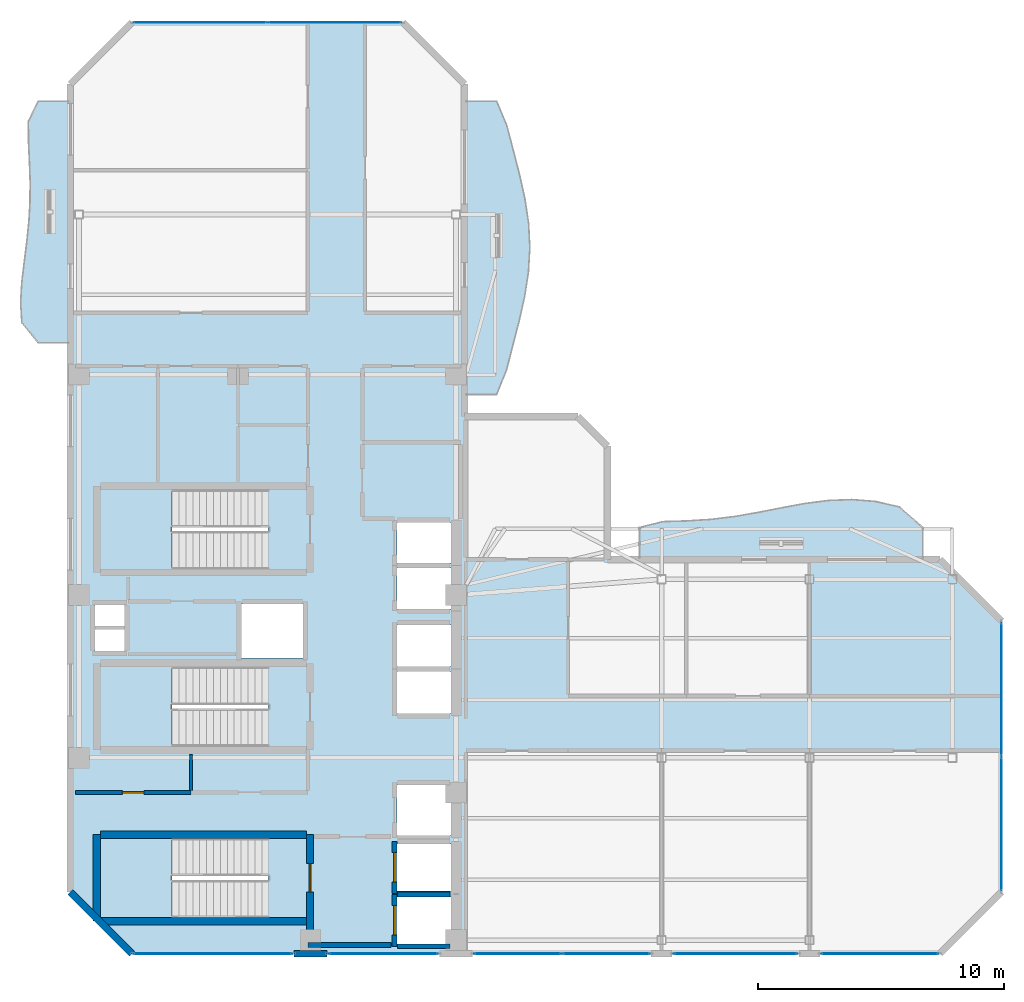
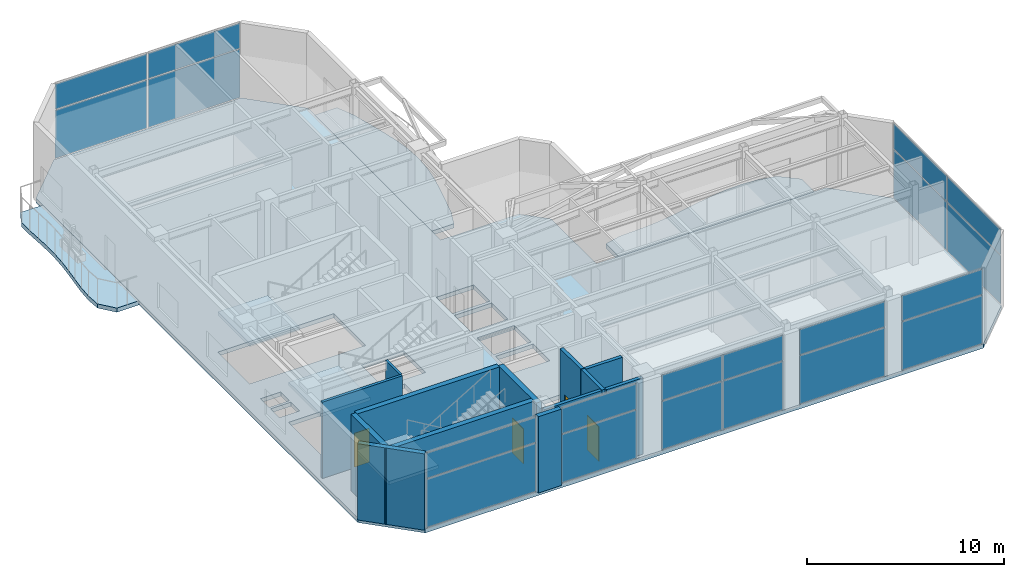
# One storey, part 10 of 15: 20 plates, 13 walls, 7 slabs, 4 doors, 4 openings, 10 elements without a shape of their own.
"""IFC4 building model written with IfcOpenShell, lengths in metres."""

from ifc_helpers import new_model, si_unit, direction, frame, frame_2d, origin, origin_2d, place, context, subcontext, project, spatial, polyline, rectangle, outline, extrude, material, layer, layer_set, type_object, element, fill, aggregate, save


model = new_model("IFC4")

# Units and contexts
model_context = context("Model", 3, precision=1e-05, world=origin(), true_north=direction((0.0, 1.0)))
body_context = subcontext(model_context, "Body", "Model", "MODEL_VIEW")
ifc_project = project(units=[si_unit("LENGTHUNIT", "METRE"), si_unit("AREAUNIT", "SQUARE_METRE"), si_unit("VOLUMEUNIT", "CUBIC_METRE"), si_unit("PLANEANGLEUNIT", "RADIAN"), si_unit("MASSUNIT", "GRAM", prefix="KILO")], contexts=[model_context])

# Site, building, storey
site_placement = place(None, origin())
site = spatial("IfcSite", under=ifc_project, at=site_placement, CompositionType="ELEMENT")
building_placement = place(site_placement, origin())
building = spatial("IfcBuilding", under=site, at=building_placement, Name="Mawjaban Terraces University", CompositionType="ELEMENT")
storey_placement = place(building_placement, frame((0.0, 0.0, 306.699951171875)))
storey = spatial("IfcBuildingStorey", under=building, at=storey_placement, Name="L75", CompositionType="ELEMENT", Elevation=306.699951171875)

# Slabs
ifc_material_1 = material(Name="Concrete C40/50", Category="concrete")
ifc_layer_1 = layer(ifc_material_1, 0.260009765625)
ifc_layer_set_1 = layer_set([ifc_layer_1], Name="Concrete C40/50")
slab_type_1 = type_object("IfcSlabType", Name="BalconySlab_260_Ext", PredefinedType="FLOOR", material=ifc_layer_set_1)
slab_1_placement = place(storey_placement, frame((0.0, 0.0, -0.260009765625)))
element("IfcSlab", 1, at=slab_1_placement, inside=storey, type_object=slab_type_1, Name="L75 Planted Balcony Slab west", PredefinedType="FLOOR", context=body_context, shape_type="SweptSolid", body=[
    extrude(outline(polyline([(22.010009765625, 24.800048828125), (22.010009765625, 34.60009765625), (20.699951171875, 34.60009765625), (20.297119140625, 33.782958984375), (20.300048828125, 32.967041015625), (20.340087890625, 32.14990234375), (20.368896484375, 31.3330078125), (20.363037109375, 30.51708984375), (20.31591796875, 29.699951171875), (20.23095703125, 28.883056640625), (20.126953125, 28.06689453125), (20.031005859375, 27.25), (19.98095703125, 26.43310546875), (20.032958984375, 25.616943359375), (20.699951171875, 24.800048828125), (22.010009765625, 24.800048828125)])), origin(), (0.0, 0.0, 1.0), 0.260009765625),
])
slab_2_placement = place(storey_placement, frame((0.0, 0.0, -0.260009765625)))
element("IfcSlab", 2, at=slab_2_placement, inside=storey, type_object=slab_type_1, Name="L75 Planted Balcony Slab inner_north", PredefinedType="FLOOR", context=body_context, shape_type="SweptSolid", body=[
    extrude(outline(polyline([(45.10009765625, 15.989990234375), (56.60009765625, 15.989990234375), (56.60009765625, 17.300048828125), (55.64208984375, 18.134033203125), (54.68310546875, 18.35400390625), (53.72509765625, 18.431884765625), (52.76708984375, 18.39501953125), (51.80810546875, 18.27099609375), (50.85009765625, 18.093994140625), (49.89208984375, 17.905029296875), (48.93310546875, 17.739990234375), (47.97509765625, 17.625), (47.01708984375, 17.56494140625), (46.05810546875, 17.535888671875), (45.10009765625, 17.300048828125), (45.10009765625, 15.989990234375)])), origin(), (0.0, 0.0, 1.0), 0.260009765625),
])
slab_3_placement = place(storey_placement, frame((0.0, 0.0, -0.260009765625)))
element("IfcSlab", 3, at=slab_3_placement, inside=storey, type_object=slab_type_1, Name="L75 Planted Balcony Slab inner_east", PredefinedType="FLOOR", context=body_context, shape_type="SweptSolid", body=[
    extrude(outline(polyline([(39.300048828125, 22.699951171875), (39.7041015625, 23.69189453125), (39.958984375, 24.68310546875), (40.215087890625, 25.675048828125), (40.43798828125, 26.6669921875), (40.592041015625, 27.657958984375), (40.64990234375, 28.64990234375), (40.60009765625, 29.64208984375), (40.451904296875, 30.633056640625), (40.23095703125, 31.625), (39.97509765625, 32.616943359375), (39.716064453125, 33.60791015625), (39.300048828125, 34.60009765625), (37.989990234375, 34.60009765625), (37.989990234375, 22.699951171875), (39.300048828125, 22.699951171875)])), origin(), (0.0, 0.0, 1.0), 0.260009765625),
])
ifc_layer_2 = layer(ifc_material_1, 0.260009765625)
ifc_layer_set_2 = layer_set([ifc_layer_2], Name="Concrete C40/50")
slab_type_2 = type_object("IfcSlabType", Name="DiaphragmSlab_260", PredefinedType="FLOOR", material=ifc_layer_set_2)
slab_4_placement = place(storey_placement, frame((0.0, 0.0, -0.260009765625)))
element("IfcSlab", 4, at=slab_4_placement, inside=storey, type_object=slab_type_2, Name="L75 Primary Structural Slab", PredefinedType="FLOOR", context=body_context, shape_type="SweptSolid", body=[
    extrude(outline(polyline([(24.5, 0.0), (57.300048828125, 0.0), (59.800048828125, 2.5), (59.800048828125, 13.5), (57.300048828125, 16.0), (43.800048828125, 16.0), (43.800048828125, 20.60009765625), (42.60009765625, 21.800048828125), (38.0, 21.800048828125), (38.0, 35.300048828125), (35.5, 37.800048828125), (24.5, 37.800048828125), (22.0, 35.300048828125), (22.0, 2.5), (24.5, 0.0)]), holes=[polyline([(30.014892578125, 4.699951171875), (23.199951171875, 4.699951171875), (23.199951171875, 1.449951171875), (30.014892578125, 1.449951171875), (30.014892578125, 4.699951171875)]), polyline([(30.014892578125, 18.85009765625), (23.199951171875, 18.85009765625), (23.199951171875, 15.60009765625), (30.014892578125, 15.60009765625), (30.014892578125, 18.85009765625)]), polyline([(30.014892578125, 11.64990234375), (23.199951171875, 11.64990234375), (23.199951171875, 8.39990234375), (30.014892578125, 8.39990234375), (30.014892578125, 11.64990234375)]), polyline([(35.25, 0.39990234375), (37.449951171875, 0.39990234375), (37.449951171875, 2.300048828125), (35.25, 2.300048828125), (35.25, 0.39990234375)]), polyline([(35.25, 2.550048828125), (37.449951171875, 2.550048828125), (37.449951171875, 4.449951171875), (35.25, 4.449951171875), (35.25, 2.550048828125)]), polyline([(35.25, 4.800048828125), (37.449951171875, 4.800048828125), (37.449951171875, 6.85009765625), (35.25, 6.85009765625), (35.25, 4.800048828125)]), polyline([(35.25, 9.75), (37.449951171875, 9.75), (37.449951171875, 11.449951171875), (35.25, 11.449951171875), (35.25, 9.75)]), polyline([(35.25, 11.64990234375), (37.449951171875, 11.64990234375), (37.449951171875, 13.35009765625), (35.25, 13.35009765625), (35.25, 11.64990234375)]), polyline([(28.949951171875, 12.0), (31.449951171875, 12.0), (31.449951171875, 14.199951171875), (28.949951171875, 14.199951171875), (28.949951171875, 12.0)]), polyline([(35.25, 14.0), (37.449951171875, 14.0), (37.449951171875, 15.64990234375), (35.25, 15.64990234375), (35.25, 14.0)]), polyline([(35.25, 15.85009765625), (37.449951171875, 15.85009765625), (37.449951171875, 17.5), (35.25, 17.5), (35.25, 15.85009765625)]), polyline([(23.0, 12.25), (24.199951171875, 12.25), (24.199951171875, 13.14990234375), (23.0, 13.14990234375), (23.0, 12.25)]), polyline([(23.0, 13.300048828125), (24.199951171875, 13.300048828125), (24.199951171875, 14.179931640625), (23.0, 14.179931640625), (23.0, 13.300048828125)])]), origin(), (0.0, 0.0, 1.0), 0.260009765625),
])

# Stair, slab
stair_type = type_object("IfcStairType", Name="Stair_Core1550_H50", PredefinedType="HALF_TURN_STAIR", material=ifc_material_1)
stair_1_placement = place(storey_placement, origin())
stair_1 = element("IfcStair", 5, at=stair_1_placement, inside=storey, type_object=stair_type, Name="L75 Core Exit Stair 1", PredefinedType="HALF_TURN_STAIR")
ifc_layer_3 = layer(ifc_material_1, 0.199951171875)
ifc_layer_set_3 = layer_set([ifc_layer_3], Name="Concrete C40/50")
slab_type_3 = type_object("IfcSlabType", Name="StairLandingSlab_200", PredefinedType="LANDING", material=ifc_layer_set_3)
slab_5_placement = place(storey_placement, frame((0.0, 0.0, 2.300048828125)))
slab_5 = element("IfcSlab", 6, at=slab_5_placement, type_object=slab_type_3, Name="ST-1 landing 1", PredefinedType="LANDING", context=body_context, shape_type="SweptSolid", body=[
    extrude(outline(polyline([(26.1298828125, 4.699951171875), (23.199951171875, 4.699951171875), (23.199951171875, 1.449951171875), (26.1298828125, 1.449951171875), (26.1298828125, 4.699951171875)])), origin(), (0.0, 0.0, 1.0), 0.199951171875),
])
aggregate(stair_1, [slab_5])

stair_2_placement = place(storey_placement, origin())
stair_2 = element("IfcStair", 7, at=stair_2_placement, inside=storey, type_object=stair_type, Name="L75 Core Exit Stair 2", PredefinedType="HALF_TURN_STAIR")
slab_6_placement = place(storey_placement, frame((0.0, 0.0, 2.300048828125)))
slab_6 = element("IfcSlab", 8, at=slab_6_placement, type_object=slab_type_3, Name="ST-2 landing 1", PredefinedType="LANDING", context=body_context, shape_type="SweptSolid", body=[
    extrude(outline(polyline([(26.1298828125, 18.85009765625), (23.199951171875, 18.85009765625), (23.199951171875, 15.60009765625), (26.1298828125, 15.60009765625), (26.1298828125, 18.85009765625)])), origin(), (0.0, 0.0, 1.0), 0.199951171875),
])
aggregate(stair_2, [slab_6])

stair_3_placement = place(storey_placement, origin())
stair_3 = element("IfcStair", 9, at=stair_3_placement, inside=storey, type_object=stair_type, Name="L75 Core Exit Stair 3", PredefinedType="HALF_TURN_STAIR")
slab_7_placement = place(storey_placement, frame((0.0, 0.0, 2.300048828125)))
slab_7 = element("IfcSlab", 10, at=slab_7_placement, type_object=slab_type_3, Name="ST-3 landing 1", PredefinedType="LANDING", context=body_context, shape_type="SweptSolid", body=[
    extrude(outline(polyline([(26.1298828125, 11.64990234375), (23.199951171875, 11.64990234375), (23.199951171875, 8.39990234375), (26.1298828125, 8.39990234375), (26.1298828125, 11.64990234375)])), origin(), (0.0, 0.0, 1.0), 0.199951171875),
])
aggregate(stair_3, [slab_7])

# Curtain wall, plates
ifc_material_2 = material(Name="Anodised aluminium 6063-T6 and solar-control low-E glass", Category="aluminium")
ifc_layer_4 = layer(ifc_material_2, 0.199951171875)
ifc_layer_set_4 = layer_set([ifc_layer_4], Name="Anodised aluminium 6063-T6 and solar-control low-E glass")
curtain_wall_type = type_object("IfcCurtainWallType", Name="CWSystem_06_ObservationCrown", PredefinedType="NOTDEFINED", material=ifc_layer_set_4)
curtain_wall_1_placement = place(storey_placement, origin())
curtain_wall_1 = element("IfcCurtainWall", 11, at=curtain_wall_1_placement, inside=storey, type_object=curtain_wall_type, Name="L75 Curtain Wall CW-06 Run 1.1", PredefinedType="NOTDEFINED")
ifc_material_3 = material(Name="Low-E solar-control double glazing", Category="glass")
ifc_layer_5 = layer(ifc_material_3, 0.035888671875)
ifc_layer_set_5 = layer_set([ifc_layer_5], Name="Low-E solar-control double glazing")
plate_type = type_object("IfcPlateType", Name="VisionPanel_CW-06", PredefinedType="CURTAIN_PANEL", material=ifc_layer_set_5)
plate_1_placement = place(storey_placement, frame((27.78759765625, 0.0, 0.06005859375), z_axis=(0.0, 0.0, 1.0), x_axis=(1.0, 0.0, 0.0)))
plate_1 = element("IfcPlate", 12, at=plate_1_placement, type_object=plate_type, Name="CW-06 panel 1.1", PredefinedType="CURTAIN_PANEL", context=body_context, shape_type="SweptSolid", body=[
    extrude(rectangle(XDim=6.445068359375, YDim=0.028076171875, at=origin_2d()), origin(), (0.0, 0.0, 1.0), 2.990966796875),
])
plate_2_placement = place(storey_placement, frame((27.78759765625, 0.0, 3.11083984375), z_axis=(0.0, 0.0, 1.0), x_axis=(1.0, 0.0, 0.0)))
plate_2 = element("IfcPlate", 13, at=plate_2_placement, type_object=plate_type, Name="CW-06 panel 1.2", PredefinedType="CURTAIN_PANEL", context=body_context, shape_type="SweptSolid", body=[
    extrude(rectangle(XDim=6.445068359375, YDim=0.028076171875, at=origin_2d()), origin(), (0.0, 0.0, 1.0), 1.569091796875),
])
aggregate(curtain_wall_1, [plate_1, plate_2])

curtain_wall_2_placement = place(storey_placement, origin())
curtain_wall_2 = element("IfcCurtainWall", 14, at=curtain_wall_2_placement, inside=storey, type_object=curtain_wall_type, Name="L75 Curtain Wall CW-06 Run 1.2", PredefinedType="NOTDEFINED")
plate_3_placement = place(storey_placement, frame((34.699951171875, 0.0, 0.06005859375), z_axis=(0.0, 0.0, 1.0), x_axis=(1.0, 0.0, 0.0)))
plate_3 = element("IfcPlate", 15, at=plate_3_placement, type_object=plate_type, Name="CW-06 panel 1.1", PredefinedType="CURTAIN_PANEL", context=body_context, shape_type="SweptSolid", body=[
    extrude(rectangle(XDim=4.419921875, YDim=0.028076171875, at=origin_2d()), origin(), (0.0, 0.0, 1.0), 2.990966796875),
])
plate_4_placement = place(storey_placement, frame((34.699951171875, 0.0, 3.11083984375), z_axis=(0.0, 0.0, 1.0), x_axis=(1.0, 0.0, 0.0)))
plate_4 = element("IfcPlate", 16, at=plate_4_placement, type_object=plate_type, Name="CW-06 panel 1.2", PredefinedType="CURTAIN_PANEL", context=body_context, shape_type="SweptSolid", body=[
    extrude(rectangle(XDim=4.419921875, YDim=0.028076171875, at=origin_2d()), origin(), (0.0, 0.0, 1.0), 1.569091796875),
])
aggregate(curtain_wall_2, [plate_3, plate_4])

curtain_wall_3_placement = place(storey_placement, origin())
curtain_wall_3 = element("IfcCurtainWall", 17, at=curtain_wall_3_placement, inside=storey, type_object=curtain_wall_type, Name="L75 Curtain Wall CW-06 Run 1.3", PredefinedType="NOTDEFINED")
plate_5_placement = place(storey_placement, frame((40.15380859375, 0.0, 0.06005859375), z_axis=(0.0, 0.0, 1.0), x_axis=(1.0, 0.0, 0.0)))
plate_5 = element("IfcPlate", 18, at=plate_5_placement, type_object=plate_type, Name="CW-06 panel 1.1", PredefinedType="CURTAIN_PANEL", context=body_context, shape_type="SweptSolid", body=[
    extrude(rectangle(XDim=3.527587890625, YDim=0.028076171875, at=origin_2d()), origin(), (0.0, 0.0, 1.0), 2.990966796875),
])
plate_6_placement = place(storey_placement, frame((40.15380859375, 0.0, 3.11083984375), z_axis=(0.0, 0.0, 1.0), x_axis=(1.0, 0.0, 0.0)))
plate_6 = element("IfcPlate", 19, at=plate_6_placement, type_object=plate_type, Name="CW-06 panel 1.2", PredefinedType="CURTAIN_PANEL", context=body_context, shape_type="SweptSolid", body=[
    extrude(rectangle(XDim=3.527587890625, YDim=0.028076171875, at=origin_2d()), origin(), (0.0, 0.0, 1.0), 1.569091796875),
])
plate_7_placement = place(storey_placement, frame((43.746337890625, 0.0, 0.06005859375), z_axis=(0.0, 0.0, 1.0), x_axis=(1.0, 0.0, 0.0)))
plate_7 = element("IfcPlate", 20, at=plate_7_placement, type_object=plate_type, Name="CW-06 panel 2.1", PredefinedType="CURTAIN_PANEL", context=body_context, shape_type="SweptSolid", body=[
    extrude(rectangle(XDim=3.527587890625, YDim=0.028076171875, at=origin_2d()), origin(), (0.0, 0.0, 1.0), 2.990966796875),
])
plate_8_placement = place(storey_placement, frame((43.746337890625, 0.0, 3.11083984375), z_axis=(0.0, 0.0, 1.0), x_axis=(1.0, 0.0, 0.0)))
plate_8 = element("IfcPlate", 21, at=plate_8_placement, type_object=plate_type, Name="CW-06 panel 2.2", PredefinedType="CURTAIN_PANEL", context=body_context, shape_type="SweptSolid", body=[
    extrude(rectangle(XDim=3.527587890625, YDim=0.028076171875, at=origin_2d()), origin(), (0.0, 0.0, 1.0), 1.569091796875),
])
aggregate(curtain_wall_3, [plate_5, plate_6, plate_7, plate_8])

curtain_wall_4_placement = place(storey_placement, origin())
curtain_wall_4 = element("IfcCurtainWall", 22, at=curtain_wall_4_placement, inside=storey, type_object=curtain_wall_type, Name="L75 Curtain Wall CW-06 Run 1.4", PredefinedType="NOTDEFINED")
plate_9_placement = place(storey_placement, frame((49.0, 0.0, 0.06005859375), z_axis=(0.0, 0.0, 1.0), x_axis=(1.0, 0.0, 0.0)))
plate_9 = element("IfcPlate", 23, at=plate_9_placement, type_object=plate_type, Name="CW-06 panel 1.1", PredefinedType="CURTAIN_PANEL", context=body_context, shape_type="SweptSolid", body=[
    extrude(rectangle(XDim=5.02001953125, YDim=0.028076171875, at=origin_2d()), origin(), (0.0, 0.0, 1.0), 2.990966796875),
])
plate_10_placement = place(storey_placement, frame((49.0, 0.0, 3.11083984375), z_axis=(0.0, 0.0, 1.0), x_axis=(1.0, 0.0, 0.0)))
plate_10 = element("IfcPlate", 24, at=plate_10_placement, type_object=plate_type, Name="CW-06 panel 1.2", PredefinedType="CURTAIN_PANEL", context=body_context, shape_type="SweptSolid", body=[
    extrude(rectangle(XDim=5.02001953125, YDim=0.028076171875, at=origin_2d()), origin(), (0.0, 0.0, 1.0), 1.569091796875),
])
aggregate(curtain_wall_4, [plate_9, plate_10])

curtain_wall_5_placement = place(storey_placement, origin())
curtain_wall_5 = element("IfcCurtainWall", 25, at=curtain_wall_5_placement, inside=storey, type_object=curtain_wall_type, Name="L75 Curtain Wall CW-06 Run 1.5", PredefinedType="NOTDEFINED")
plate_11_placement = place(storey_placement, frame((54.862548828125, 0.0, 0.06005859375), z_axis=(0.0, 0.0, 1.0), x_axis=(1.0, 0.0, 0.0)))
plate_11 = element("IfcPlate", 26, at=plate_11_placement, type_object=plate_type, Name="CW-06 panel 1.1", PredefinedType="CURTAIN_PANEL", context=body_context, shape_type="SweptSolid", body=[
    extrude(rectangle(XDim=4.7451171875, YDim=0.028076171875, at=origin_2d()), origin(), (0.0, 0.0, 1.0), 2.990966796875),
])
plate_12_placement = place(storey_placement, frame((54.862548828125, 0.0, 3.11083984375), z_axis=(0.0, 0.0, 1.0), x_axis=(1.0, 0.0, 0.0)))
plate_12 = element("IfcPlate", 27, at=plate_12_placement, type_object=plate_type, Name="CW-06 panel 1.2", PredefinedType="CURTAIN_PANEL", context=body_context, shape_type="SweptSolid", body=[
    extrude(rectangle(XDim=4.7451171875, YDim=0.028076171875, at=origin_2d()), origin(), (0.0, 0.0, 1.0), 1.569091796875),
])
aggregate(curtain_wall_5, [plate_11, plate_12])

curtain_wall_6_placement = place(storey_placement, origin())
curtain_wall_6 = element("IfcCurtainWall", 28, at=curtain_wall_6_placement, inside=storey, type_object=curtain_wall_type, Name="L75 Curtain Wall CW-06 Run 3.1", PredefinedType="NOTDEFINED")
plate_13_placement = place(storey_placement, frame((59.800048828125, 5.266357421875, 0.06005859375), z_axis=(0.0, 0.0, 1.0), x_axis=(0.0, 1.0, 0.0)))
plate_13 = element("IfcPlate", 29, at=plate_13_placement, type_object=plate_type, Name="CW-06 panel 1.1", PredefinedType="CURTAIN_PANEL", context=body_context, shape_type="SweptSolid", body=[
    extrude(rectangle(XDim=5.402587890625, YDim=0.028076171875, at=origin_2d()), origin(), (0.0, 0.0, 1.0), 2.990966796875),
])
plate_14_placement = place(storey_placement, frame((59.800048828125, 5.266357421875, 3.11083984375), z_axis=(0.0, 0.0, 1.0), x_axis=(0.0, 1.0, 0.0)))
plate_14 = element("IfcPlate", 30, at=plate_14_placement, type_object=plate_type, Name="CW-06 panel 1.2", PredefinedType="CURTAIN_PANEL", context=body_context, shape_type="SweptSolid", body=[
    extrude(rectangle(XDim=5.402587890625, YDim=0.028076171875, at=origin_2d()), origin(), (0.0, 0.0, 1.0), 1.569091796875),
])
plate_15_placement = place(storey_placement, frame((59.800048828125, 10.733642578125, 0.06005859375), z_axis=(0.0, 0.0, 1.0), x_axis=(0.0, 1.0, 0.0)))
plate_15 = element("IfcPlate", 31, at=plate_15_placement, type_object=plate_type, Name="CW-06 panel 2.1", PredefinedType="CURTAIN_PANEL", context=body_context, shape_type="SweptSolid", body=[
    extrude(rectangle(XDim=5.402587890625, YDim=0.028076171875, at=origin_2d()), origin(), (0.0, 0.0, 1.0), 2.990966796875),
])
plate_16_placement = place(storey_placement, frame((59.800048828125, 10.733642578125, 3.11083984375), z_axis=(0.0, 0.0, 1.0), x_axis=(0.0, 1.0, 0.0)))
plate_16 = element("IfcPlate", 32, at=plate_16_placement, type_object=plate_type, Name="CW-06 panel 2.2", PredefinedType="CURTAIN_PANEL", context=body_context, shape_type="SweptSolid", body=[
    extrude(rectangle(XDim=5.402587890625, YDim=0.028076171875, at=origin_2d()), origin(), (0.0, 0.0, 1.0), 1.569091796875),
])
aggregate(curtain_wall_6, [plate_13, plate_14, plate_15, plate_16])

curtain_wall_7_placement = place(storey_placement, origin())
curtain_wall_7 = element("IfcCurtainWall", 33, at=curtain_wall_7_placement, inside=storey, type_object=curtain_wall_type, Name="L75 Curtain Wall CW-06 Run 11.1", PredefinedType="NOTDEFINED")
plate_17_placement = place(storey_placement, frame((32.733642578125, 37.800048828125, 0.06005859375), z_axis=(0.0, 0.0, 1.0), x_axis=(-1.0, 0.0, 0.0)))
plate_17 = element("IfcPlate", 34, at=plate_17_placement, type_object=plate_type, Name="CW-06 panel 1.1", PredefinedType="CURTAIN_PANEL", context=body_context, shape_type="SweptSolid", body=[
    extrude(rectangle(XDim=5.402587890625, YDim=0.028076171875, at=origin_2d()), origin(), (0.0, 0.0, 1.0), 2.990966796875),
])
plate_18_placement = place(storey_placement, frame((32.733642578125, 37.800048828125, 3.11083984375), z_axis=(0.0, 0.0, 1.0), x_axis=(-1.0, 0.0, 0.0)))
plate_18 = element("IfcPlate", 35, at=plate_18_placement, type_object=plate_type, Name="CW-06 panel 1.2", PredefinedType="CURTAIN_PANEL", context=body_context, shape_type="SweptSolid", body=[
    extrude(rectangle(XDim=5.402587890625, YDim=0.028076171875, at=origin_2d()), origin(), (0.0, 0.0, 1.0), 1.569091796875),
])
plate_19_placement = place(storey_placement, frame((27.266357421875, 37.800048828125, 0.06005859375), z_axis=(0.0, 0.0, 1.0), x_axis=(-1.0, 0.0, 0.0)))
plate_19 = element("IfcPlate", 36, at=plate_19_placement, type_object=plate_type, Name="CW-06 panel 2.1", PredefinedType="CURTAIN_PANEL", context=body_context, shape_type="SweptSolid", body=[
    extrude(rectangle(XDim=5.402587890625, YDim=0.028076171875, at=origin_2d()), origin(), (0.0, 0.0, 1.0), 2.990966796875),
])
plate_20_placement = place(storey_placement, frame((27.266357421875, 37.800048828125, 3.11083984375), z_axis=(0.0, 0.0, 1.0), x_axis=(-1.0, 0.0, 0.0)))
plate_20 = element("IfcPlate", 37, at=plate_20_placement, type_object=plate_type, Name="CW-06 panel 2.2", PredefinedType="CURTAIN_PANEL", context=body_context, shape_type="SweptSolid", body=[
    extrude(rectangle(XDim=5.402587890625, YDim=0.028076171875, at=origin_2d()), origin(), (0.0, 0.0, 1.0), 1.569091796875),
])
aggregate(curtain_wall_7, [plate_17, plate_18, plate_19, plate_20])

# Wall, opening, door
ifc_material_4 = material(Name="Fire-rated gypsum board on steel stud", Category="steel")
ifc_layer_6 = layer(ifc_material_4, 0.159912109375)
ifc_layer_set_6 = layer_set([ifc_layer_6], Name="Fire-rated gypsum board on steel stud")
wall_type_1 = type_object("IfcWallType", Name="CorridorPartition_160", PredefinedType="PARTITIONING", material=ifc_layer_set_6)
wall_1_placement = place(storey_placement, frame((26.89990234375, 6.550048828125, 0.0), z_axis=(0.0, 0.0, 1.0), x_axis=(-1.0, 0.0, 0.0)))
wall_1 = element("IfcWall", 38, at=wall_1_placement, inside=storey, type_object=wall_type_1, Name="L75 Core Washroom Lobby Partition 4", PredefinedType="PARTITIONING", context=body_context, shape_type="SweptSolid", body=[
    extrude(rectangle(XDim=4.699951171875, YDim=0.159912109375, at=frame_2d((2.35009765625, 0.0))), origin(), (0.0, 0.0, 1.0), 4.739990234375),
])
opening_1_placement = place(wall_1_placement, frame((1.909912109375, 0.0, 0.0)))
opening_1 = element("IfcOpeningElement", 39, at=opening_1_placement, cuts=wall_1, Name="Opening ID-088", PredefinedType="OPENING", context=body_context, shape_type="SweptSolid", body=[
    extrude(rectangle(XDim=0.8798828125, YDim=2.10009765625, at=frame_2d((0.43994140625, 1.050048828125))), frame((0.0, 0.08984375, 0.0), z_axis=(0.0, -1.0, 0.0), x_axis=(1.0, 0.0, 0.0)), (0.0, 0.0, 1.0), 0.179931640625),
])
ifc_material_5 = material(Name="Powder-coated steel frame and solid acoustic timber leaf", Category="steel")
door_type_1 = type_object("IfcDoorType", Name="ToiletDoor_880x2100", OperationType="NOTDEFINED", PredefinedType="DOOR", material=ifc_material_5)
door_1_placement = place(opening_1_placement, origin())
door_1 = element("IfcDoor", 40, at=door_1_placement, inside=storey, type_object=door_type_1, Name="L75 Male Toilet Door", OperationType="SINGLE_SWING_LEFT", OverallHeight=2.10009765625, OverallWidth=0.8798828125, PredefinedType="DOOR", context=body_context, shape_type="SweptSolid", body=[
    extrude(rectangle(XDim=0.8798828125, YDim=2.10009765625, at=frame_2d((0.43994140625, 1.050048828125))), frame((0.0, 0.02490234375, 0.0), z_axis=(0.0, -1.0, 0.0), x_axis=(1.0, 0.0, 0.0)), (0.0, 0.0, 1.0), 0.050048828125),
])
fill(opening_1, door_1)

# Walls
ifc_material_6 = material(Name="Insulated terracotta rainscreen on concrete backup C40/50", Category="masonry")
ifc_layer_7 = layer(ifc_material_6, 0.27490234375)
ifc_layer_set_7 = layer_set([ifc_layer_7], Name="Insulated terracotta rainscreen on concrete backup C40/50")
wall_type_2 = type_object("IfcWallType", Name="ExtTerracottaWall_275", PredefinedType="SOLIDWALL", material=ifc_layer_set_7)
wall_2_placement = place(storey_placement, frame((31.074951171875, 0.0, 0.0), z_axis=(0.0, 0.0, 1.0), x_axis=(1.0, 0.0, 0.0)))
element("IfcWall", 41, at=wall_2_placement, inside=storey, type_object=wall_type_2, Name="L75 Exterior Terracotta Pier Wall 1.1", PredefinedType="SOLIDWALL", context=body_context, shape_type="SweptSolid", body=[
    extrude(rectangle(XDim=1.35009765625, YDim=0.27490234375, at=frame_2d((0.675048828125, 0.0))), origin(), (0.0, 0.0, 1.0), 4.739990234375),
])
wall_3_placement = place(storey_placement, frame((22.0, 2.5, 0.0), z_axis=(0.0, 0.0, 1.0), x_axis=(0.707106781187, -0.707106781187, 0.0)))
element("IfcWall", 42, at=wall_3_placement, inside=storey, type_object=wall_type_2, Name="L75 Exterior Terracotta Wall 14", PredefinedType="SOLIDWALL", context=body_context, shape_type="SweptSolid", body=[
    extrude(rectangle(XDim=3.53564453125, YDim=0.27490234375, at=frame_2d((1.767822265625, 0.0))), origin(), (0.0, 0.0, 1.0), 4.739990234375),
])

# Wall, opening, door
ifc_layer_8 = layer(ifc_material_1, 0.199951171875)
ifc_layer_set_8 = layer_set([ifc_layer_8], Name="Concrete C40/50")
wall_type_3 = type_object("IfcWallType", Name="FireLobbyWall_200", PredefinedType="SOLIDWALL", material=ifc_layer_set_8)
wall_4_placement = place(storey_placement, frame((35.14990234375, 2.39990234375, 0.0), z_axis=(0.0, 0.0, 1.0), x_axis=(0.0, -1.0, 0.0)))
wall_4 = element("IfcWall", 43, at=wall_4_placement, inside=storey, type_object=wall_type_3, Name="L75 Lift FL-1 Hoistway Wall West", PredefinedType="SOLIDWALL", context=body_context, shape_type="SweptSolid", body=[
    extrude(rectangle(XDim=2.099853515625, YDim=0.199951171875, at=frame_2d((1.0498046875, 0.0))), origin(), (0.0, 0.0, 1.0), 4.739990234375),
])
opening_2_placement = place(wall_4_placement, frame((0.449951171875, 0.0, 0.0)))
opening_2 = element("IfcOpeningElement", 44, at=opening_2_placement, cuts=wall_4, Name="Opening LD-FL-1", PredefinedType="OPENING", context=body_context, shape_type="SweptSolid", body=[
    extrude(rectangle(XDim=1.199951171875, YDim=2.14990234375, at=frame_2d((0.60009765625, 1.074951171875))), frame((0.0, 0.10986328125, 0.0), z_axis=(0.0, -1.0, 0.0), x_axis=(1.0, 0.0, 0.0)), (0.0, 0.0, 1.0), 0.219970703125),
])
ifc_material_7 = material(Name="Powder-coated steel frame and fire-rated steel-faced leaf", Category="steel")
door_type_2 = type_object("IfcDoorType", Name="LiftLandingFSAE_1200x2150", OperationType="NOTDEFINED", PredefinedType="DOOR", material=ifc_material_7)
door_2_placement = place(opening_2_placement, origin())
door_2 = element("IfcDoor", 45, at=door_2_placement, inside=storey, type_object=door_type_2, Name="L75 Lift FL-1 Sliding Landing Door", OperationType="DOUBLE_DOOR_SLIDING", OverallHeight=2.14990234375, OverallWidth=1.199951171875, PredefinedType="DOOR", context=body_context, shape_type="SweptSolid", body=[
    extrude(rectangle(XDim=1.199951171875, YDim=2.14990234375, at=frame_2d((0.60009765625, 1.074951171875))), frame((0.0, 0.02490234375, 0.0), z_axis=(0.0, -1.0, 0.0), x_axis=(1.0, 0.0, 0.0)), (0.0, 0.0, 1.0), 0.050048828125),
])
fill(opening_2, door_2)

# Walls
for number, where, z_axis, x_axis, name in (
    (46, (35.280029296875, 0.300048828125, 0.0), (0.0, 0.0, 1.0), (1.0, 0.0, 0.0), "L75 Lift FL-1 Hoistway Wall South"),
    (47, (37.419921875, 2.39990234375, 0.0), (0.0, 0.0, 1.0), (-1.0, 0.0, 0.0), "L75 Lift FL-1 Hoistway Wall North"),
):
    element("IfcWall", number, at=place(storey_placement, frame(where, z_axis=z_axis, x_axis=x_axis)), inside=storey, type_object=wall_type_3, Name=name, PredefinedType="SOLIDWALL", context=body_context, shape_type="SweptSolid", body=[
        extrude(rectangle(XDim=2.139892578125, YDim=0.199951171875, at=frame_2d((1.06982421875, 0.0))), origin(), (0.0, 0.0, 1.0), 4.739990234375),
    ])

# Wall, opening, door
wall_5_placement = place(storey_placement, frame((35.14990234375, 4.550048828125, 0.0), z_axis=(0.0, 0.0, 1.0), x_axis=(0.0, -1.0, 0.0)))
wall_5 = element("IfcWall", 48, at=wall_5_placement, inside=storey, type_object=wall_type_3, Name="L75 Lift FL-2 Hoistway Wall West", PredefinedType="SOLIDWALL", context=body_context, shape_type="SweptSolid", body=[
    extrude(rectangle(XDim=2.10009765625, YDim=0.199951171875, at=frame_2d((1.050048828125, 0.0))), origin(), (0.0, 0.0, 1.0), 4.739990234375),
])
opening_3_placement = place(wall_5_placement, frame((0.449951171875, 0.0, 0.0)))
opening_3 = element("IfcOpeningElement", 49, at=opening_3_placement, cuts=wall_5, Name="Opening LD-FL-2", PredefinedType="OPENING", context=body_context, shape_type="SweptSolid", body=[
    extrude(rectangle(XDim=1.199951171875, YDim=2.14990234375, at=frame_2d((0.60009765625, 1.074951171875))), frame((0.0, 0.10986328125, 0.0), z_axis=(0.0, -1.0, 0.0), x_axis=(1.0, 0.0, 0.0)), (0.0, 0.0, 1.0), 0.219970703125),
])
door_3_placement = place(opening_3_placement, origin())
door_3 = element("IfcDoor", 50, at=door_3_placement, inside=storey, type_object=door_type_2, Name="L75 Lift FL-2 Sliding Landing Door", OperationType="DOUBLE_DOOR_SLIDING", OverallHeight=2.14990234375, OverallWidth=1.199951171875, PredefinedType="DOOR", context=body_context, shape_type="SweptSolid", body=[
    extrude(rectangle(XDim=1.199951171875, YDim=2.14990234375, at=frame_2d((0.60009765625, 1.074951171875))), frame((0.0, 0.02490234375, 0.0), z_axis=(0.0, -1.0, 0.0), x_axis=(1.0, 0.0, 0.0)), (0.0, 0.0, 1.0), 0.050048828125),
])
fill(opening_3, door_3)

# Walls
wall_6_placement = place(storey_placement, frame((31.64990234375, 0.35009765625, 0.0), z_axis=(0.0, 0.0, 1.0), x_axis=(1.0, 0.0, 0.0)))
element("IfcWall", 51, at=wall_6_placement, inside=storey, type_object=wall_type_3, Name="L75 Firefighting Lift Lobby Partition 6", PredefinedType="SOLIDWALL", context=body_context, shape_type="SweptSolid", body=[
    extrude(rectangle(XDim=3.3701171875, YDim=0.199951171875, at=frame_2d((1.68505859375, 0.0))), origin(), (0.0, 0.0, 1.0), 4.739990234375),
])
ifc_material_8 = material(Name="Concrete C60/75", Category="concrete")
ifc_layer_9 = layer(ifc_material_8, 0.300048828125)
ifc_layer_set_9 = layer_set([ifc_layer_9], Name="Concrete C60/75")
wall_type_4 = type_object("IfcWallType", Name="StairShaftWall_300", PredefinedType="SHEAR", material=ifc_layer_set_9)
wall_7_placement = place(storey_placement, frame((31.580078125, 4.830078125, 0.0), z_axis=(0.0, 0.0, 1.0), x_axis=(-1.0, 0.0, 0.0)))
element("IfcWall", 52, at=wall_7_placement, inside=storey, type_object=wall_type_4, Name="L75 ST-1 Stair Shaft Wall 1", PredefinedType="SHEAR", context=body_context, shape_type="SweptSolid", body=[
    extrude(rectangle(XDim=8.360107421875, YDim=0.300048828125, at=frame_2d((4.18017578125, 0.0))), origin(), (0.0, 0.0, 1.0), 4.739990234375),
])
wall_8_placement = place(storey_placement, frame((23.070068359375, 4.830078125, 0.0), z_axis=(0.0, 0.0, 1.0), x_axis=(0.0, -1.0, 0.0)))
element("IfcWall", 53, at=wall_8_placement, inside=storey, type_object=wall_type_4, Name="L75 ST-1 Stair Shaft Wall 2", PredefinedType="SHEAR", context=body_context, shape_type="SweptSolid", body=[
    extrude(rectangle(XDim=3.510009765625, YDim=0.300048828125, at=frame_2d((1.7548828125, 0.0))), origin(), (0.0, 0.0, 1.0), 4.739990234375),
])
wall_9_placement = place(storey_placement, frame((23.219970703125, 1.320068359375, 0.0), z_axis=(0.0, 0.0, 1.0), x_axis=(1.0, 0.0, 0.0)))
element("IfcWall", 54, at=wall_9_placement, inside=storey, type_object=wall_type_4, Name="L75 ST-1 Stair Shaft Wall 3", PredefinedType="SHEAR", context=body_context, shape_type="SweptSolid", body=[
    extrude(rectangle(XDim=8.360107421875, YDim=0.300048828125, at=frame_2d((4.18017578125, 0.0))), origin(), (0.0, 0.0, 1.0), 4.739990234375),
])

# Wall, opening, door
wall_10_placement = place(storey_placement, frame((31.72998046875, 0.9599609375, 0.0), z_axis=(0.0, 0.0, 1.0), x_axis=(0.0, 1.0, 0.0)))
wall_10 = element("IfcWall", 55, at=wall_10_placement, inside=storey, type_object=wall_type_4, Name="L75 ST-1 Stair Shaft Wall 4", PredefinedType="SHEAR", context=body_context, shape_type="SweptSolid", body=[
    extrude(rectangle(XDim=3.8701171875, YDim=0.300048828125, at=frame_2d((1.93505859375, 0.0))), origin(), (0.0, 0.0, 1.0), 4.739990234375),
])
opening_4_placement = place(wall_10_placement, frame((1.5400390625, 0.0, 0.0)))
opening_4 = element("IfcOpeningElement", 56, at=opening_4_placement, cuts=wall_10, Name="Opening FD-115", PredefinedType="OPENING", context=body_context, shape_type="SweptSolid", body=[
    extrude(rectangle(XDim=1.14990234375, YDim=2.14990234375, at=frame_2d((0.574951171875, 1.074951171875))), frame((0.0, 0.159912109375, 0.0), z_axis=(0.0, -1.0, 0.0), x_axis=(1.0, 0.0, 0.0)), (0.0, 0.0, 1.0), 0.320068359375),
])
door_type_3 = type_object("IfcDoorType", Name="FireStairDoor_1150x2150", OperationType="NOTDEFINED", PredefinedType="DOOR", material=ifc_material_7)
door_4_placement = place(opening_4_placement, origin())
door_4 = element("IfcDoor", 57, at=door_4_placement, inside=storey, type_object=door_type_3, Name="L75 ST-1 Pressurised Stair Fire Door", OperationType="SINGLE_SWING_LEFT", OverallHeight=2.14990234375, OverallWidth=1.14990234375, PredefinedType="DOOR", context=body_context, shape_type="SweptSolid", body=[
    extrude(rectangle(XDim=1.14990234375, YDim=2.14990234375, at=frame_2d((0.574951171875, 1.074951171875))), frame((0.0, 0.02490234375, 0.0), z_axis=(0.0, -1.0, 0.0), x_axis=(1.0, 0.0, 0.0)), (0.0, 0.0, 1.0), 0.050048828125),
])
fill(opening_4, door_4)

# Wall
ifc_material_9 = material(Name="Cement-board wet-room partition", Category="masonry")
ifc_layer_10 = layer(ifc_material_9, 0.135009765625)
ifc_layer_set_10 = layer_set([ifc_layer_10], Name="Cement-board wet-room partition")
wall_type_5 = type_object("IfcWallType", Name="WetRoomPartition_135", PredefinedType="PARTITIONING", material=ifc_layer_set_10)
wall_11_placement = place(storey_placement, frame((26.89990234375, 6.625, 0.0), z_axis=(0.0, 0.0, 1.0), x_axis=(0.0, 1.0, 0.0)))
element("IfcWall", 58, at=wall_11_placement, inside=storey, type_object=wall_type_5, Name="L75 Male Toilet Partition 28", PredefinedType="PARTITIONING", context=body_context, shape_type="SweptSolid", body=[
    extrude(rectangle(XDim=1.465087890625, YDim=0.135009765625, at=frame_2d((0.732421875, 0.0))), origin(), (0.0, 0.0, 1.0), 4.739990234375),
])

save(model, "model.ifc")
